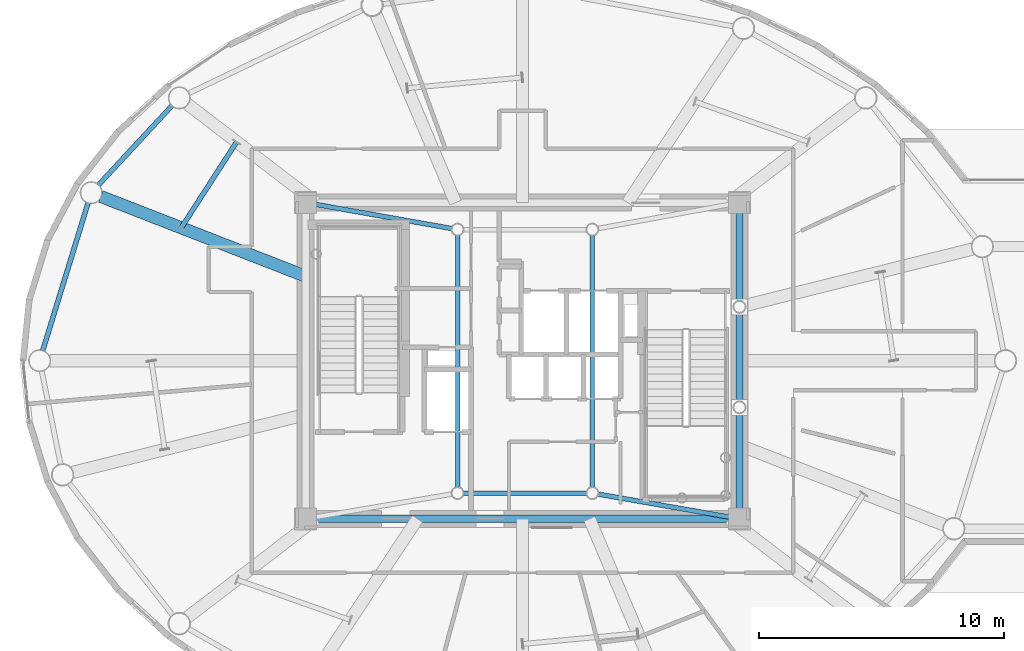
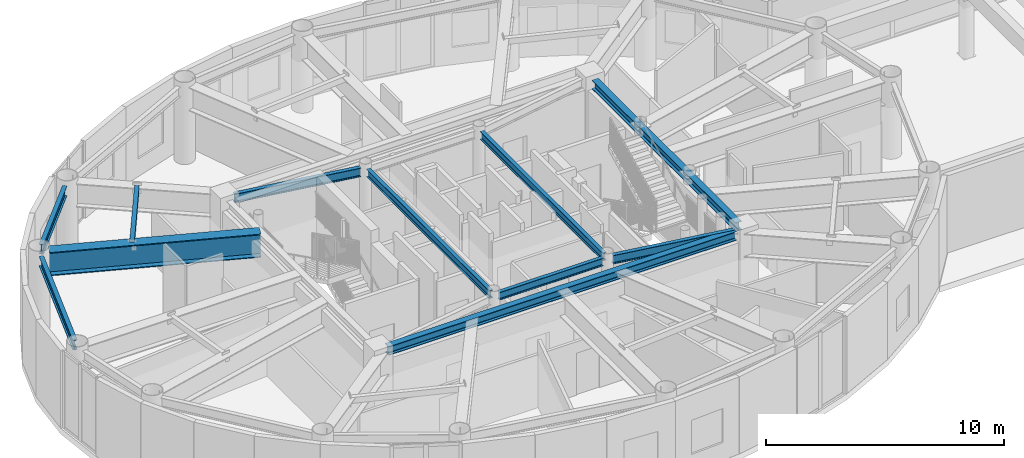
# One storey, part 7 of 26: 11 beams.
"""IFC4 building model written with IfcOpenShell, lengths in metres."""

import ifcopenshell
import ifcopenshell.guid

model = None  # the IFC model being written
_history = None  # IfcOwnerHistory: only IFC2X3 demands one
_inside = {}  # id of a spatial element -> (the spatial element, [elements in it])
_under = {}  # id of a project, library or spatial element -> (it, [spatial elements below it])
_declared = {}  # id of a project -> (the project, [libraries it declares])
_typed = {}  # id of a type object -> (the type object, [elements of that type])
_made_of = {}  # id of a material, layer set ... -> (it, [elements and type objects made of it])


def new_model(schema):
    """Start an empty IFC model of exactly this schema.

    Asked for "IFC4X3", IfcOpenShell would pick the latest addendum, in which some entities
    have other attributes; the version numbers below select the first issue.
    IFC2X3 requires an IfcOwnerHistory on every rooted entity: one is made here for all.
    """
    global model, _history
    if schema == "IFC4X3":
        model = ifcopenshell.file(schema_version=(4, 3, 0, 0))
    else:
        model = ifcopenshell.file(schema=schema)
    _inside.clear()
    _under.clear()
    _declared.clear()
    _typed.clear()
    _made_of.clear()
    _history = None
    if model.schema == "IFC2X3":
        org = make("IfcOrganization", Name="unknown")
        user = make(
            "IfcPersonAndOrganization",
            ThePerson=make("IfcPerson", FamilyName="unknown"),
            TheOrganization=org,
        )
        app = make(
            "IfcApplication",
            ApplicationDeveloper=org,
            Version="unknown",
            ApplicationFullName="unknown",
            ApplicationIdentifier="unknown",
        )
        _history = make(
            "IfcOwnerHistory",
            OwningUser=user,
            OwningApplication=app,
            ChangeAction="ADDED",
            CreationDate=0,
        )
    return model


def make(cls, **values):
    """One entity of the class cls with the attributes given. An attribute that is None is left unset."""
    return model.create_entity(
        cls, **{name: value for name, value in values.items() if value is not None}
    )


def rooted(cls, **values):
    """An entity with a GlobalId (a new one), such as an element, a storey or a relation."""
    return make(cls, GlobalId=ifcopenshell.guid.new(), OwnerHistory=_history, **values)


def si_unit(unit_type, name, prefix=None):
    """IfcSIUnit, for example si_unit("LENGTHUNIT", "METRE", prefix="MILLI")."""
    return make("IfcSIUnit", UnitType=unit_type, Prefix=prefix, Name=name)


def assignment(units):
    """IfcUnitAssignment: the units of a project."""
    return None if units is None else make("IfcUnitAssignment", Units=units)


def point(xyz):
    """IfcCartesianPoint."""
    return None if xyz is None else make("IfcCartesianPoint", Coordinates=xyz)


def direction(xyz):
    """IfcDirection."""
    return None if xyz is None else make("IfcDirection", DirectionRatios=xyz)


def frame(location, z_axis=None, x_axis=None):
    """IfcAxis2Placement3D, a coordinate frame: its origin and axes. An axis left out is left unset."""
    return make(
        "IfcAxis2Placement3D",
        Location=point(location),
        Axis=direction(z_axis),
        RefDirection=direction(x_axis),
    )


def frame_2d(location, x_axis=None):
    """IfcAxis2Placement2D, a coordinate frame in the plane: its origin and x axis."""
    return make(
        "IfcAxis2Placement2D", Location=point(location), RefDirection=direction(x_axis)
    )


def origin():
    """The frame at (0, 0, 0) with its axes left unset."""
    return frame((0.0, 0.0, 0.0))


def origin_2d():
    """The frame at (0, 0) in the plane with its x axis left unset."""
    return frame_2d((0.0, 0.0))


def place(relative_to, where):
    """IfcLocalPlacement: puts the frame where relative to a parent placement (None: the world)."""
    return make(
        "IfcLocalPlacement", PlacementRelTo=relative_to, RelativePlacement=where
    )


def context(
    kind, dimensions, precision=None, world=None, true_north=None, identifier=None
):
    """IfcGeometricRepresentationContext, for example the 3D "Model" context."""
    return make(
        "IfcGeometricRepresentationContext",
        ContextIdentifier=identifier,
        ContextType=kind,
        CoordinateSpaceDimension=dimensions,
        Precision=precision,
        WorldCoordinateSystem=world,
        TrueNorth=true_north,
    )


def subcontext(parent, identifier, kind, view, scale=None):
    """IfcGeometricRepresentationSubContext, for example "Body" below "Model"."""
    return make(
        "IfcGeometricRepresentationSubContext",
        ContextIdentifier=identifier,
        ContextType=kind,
        ParentContext=parent,
        TargetScale=scale,
        TargetView=view,
    )


def project(units=None, contexts=None):
    """IfcProject with its units and contexts."""
    return rooted(
        "IfcProject",
        Name="project",
        RepresentationContexts=contexts,
        UnitsInContext=assignment(units),
    )


def spatial(cls, under=None, at=None, **own):
    """A site, building, storey or space (cls), placed at a placement, below another one or the project."""
    s = rooted(cls, ObjectPlacement=at, **own)
    if under is not None:
        _under.setdefault(under.id(), (under, []))[1].append(s)
    return s


def profile(cls, at=None, kind="AREA", **sizes):
    """A parametric profile (cls). Its sizes go by their IFC names, for example OverallWidth=200.0."""
    return make(cls, ProfileType=kind, Position=at, **sizes)


def hollow_rectangle(**sizes):
    """IfcRectangleHollowProfileDef."""
    return profile("IfcRectangleHollowProfileDef", **sizes)


def i_section(**sizes):
    """IfcIShapeProfileDef."""
    return profile("IfcIShapeProfileDef", **sizes)


def extrude(swept, where, along, depth):
    """IfcExtrudedAreaSolid: the profile swept, set in the frame where, extruded along a direction by depth."""
    return make(
        "IfcExtrudedAreaSolid",
        SweptArea=swept,
        Position=where,
        ExtrudedDirection=direction(along),
        Depth=depth,
    )


def shape(context_of_items, identifier, shape_type, items):
    """IfcShapeRepresentation: the items that make up one representation, for example the "Body"."""
    return make(
        "IfcShapeRepresentation",
        ContextOfItems=context_of_items,
        RepresentationIdentifier=identifier,
        RepresentationType=shape_type,
        Items=items,
    )


def material(Name=None, Category=None):
    """IfcMaterial."""
    return make("IfcMaterial", Name=Name, Category=Category)


def material_profile(
    of_material, cross_section, Name=None, Category=None, Priority=None
):
    """IfcMaterialProfile: a cross section and its material."""
    return make(
        "IfcMaterialProfile",
        Name=Name,
        Material=of_material,
        Profile=cross_section,
        Priority=Priority,
        Category=Category,
    )


def profile_set(profiles, Name=None, composite=None):
    """IfcMaterialProfileSet."""
    return make(
        "IfcMaterialProfileSet",
        Name=Name,
        MaterialProfiles=profiles,
        CompositeProfile=composite,
    )


def made_of(thing, what):
    """Note that an element or type object is made of a material, layer set ...; save() writes the relation."""
    if what is not None:
        _made_of.setdefault(what.id(), (what, []))[1].append(thing)
    return thing


def type_object(cls, material=None, **own):
    """A type object (cls), such as IfcWallType, which elements share."""
    return made_of(rooted(cls, **own), material)


def element(
    cls,
    number,
    at=None,
    inside=None,
    cuts=None,
    type_object=None,
    material=None,
    context=None,
    identifier="Body",
    shape_type=None,
    held_by="IfcProductDefinitionShape",
    body=None,
    shapes=None,
    **own,
):
    """One element of the class cls, such as IfcWall. Its Tag is "e" and its number.

    at: its placement. inside: the storey or other place that contains it. cuts: it is an
    opening in that element (IfcRelVoidsElement). A single representation is given by context,
    identifier, shape_type and body (its items); several are given by shapes. held_by: the class
    of the entity that holds the representations. save() writes the other relations.
    """
    e = rooted(cls, Tag="e%d" % number, ObjectPlacement=at, **own)
    if body is not None:
        shapes = [shape(context, identifier, shape_type, body)]
    if shapes is not None:
        e.Representation = make(held_by, Representations=shapes)
    if inside is not None:
        _inside.setdefault(inside.id(), (inside, []))[1].append(e)
    if cuts is not None:
        rooted(
            "IfcRelVoidsElement", RelatingBuildingElement=cuts, RelatedOpeningElement=e
        )
    if type_object is not None:
        _typed.setdefault(type_object.id(), (type_object, []))[1].append(e)
    return made_of(e, material)


def aggregate(whole, parts):
    """IfcRelAggregates: a whole, such as a stair, and the parts it consists of."""
    return rooted("IfcRelAggregates", RelatingObject=whole, RelatedObjects=parts)


def save(model, path):
    """Write the relations noted so far, then the file.

    IfcRelAggregates (storeys below a building ...), IfcRelContainedInSpatialStructure (elements
    in a storey), IfcRelDefinesByType, IfcRelAssociatesMaterial and IfcRelDeclares: one each for
    every whole, place, type object, material and project.
    """
    for whole, parts in _under.values():
        aggregate(whole, parts)
    for where, things in _inside.values():
        rooted(
            "IfcRelContainedInSpatialStructure",
            RelatedElements=things,
            RelatingStructure=where,
        )
    for kind, things in _typed.values():
        rooted("IfcRelDefinesByType", RelatedObjects=things, RelatingType=kind)
    for what, things in _made_of.values():
        rooted("IfcRelAssociatesMaterial", RelatedObjects=things, RelatingMaterial=what)
    for by, libraries in _declared.values():
        rooted("IfcRelDeclares", RelatingContext=by, RelatedDefinitions=libraries)
    model.write(path)


model = new_model("IFC4")

# Units and contexts
model_context = context("Model", 3, precision=1e-05, world=origin(), true_north=direction((0.0, 1.0)))
body_context = subcontext(model_context, "Body", "Model", "MODEL_VIEW")
ifc_project = project(units=[si_unit("LENGTHUNIT", "METRE"), si_unit("AREAUNIT", "SQUARE_METRE"), si_unit("VOLUMEUNIT", "CUBIC_METRE"), si_unit("PLANEANGLEUNIT", "RADIAN"), si_unit("MASSUNIT", "GRAM", prefix="KILO")], contexts=[model_context])

# Site, building, storey
site_placement = place(None, origin())
site = spatial("IfcSite", under=ifc_project, at=site_placement, CompositionType="ELEMENT")
building_placement = place(site_placement, origin())
building = spatial("IfcBuilding", under=site, at=building_placement, Name="Linh Dai School and Residence Tower", CompositionType="ELEMENT")
storey_placement = place(building_placement, frame((0.0, 0.0, 351.0)))
storey = spatial("IfcBuildingStorey", under=building, at=storey_placement, Name="L87", CompositionType="ELEMENT", Elevation=351.0)

# Beams
ifc_material = material(Name="Structural Steel S355JR", Category="steel")
ifc_material_profile_1 = material_profile(ifc_material, hollow_rectangle(XDim=0.199951171875, YDim=0.300048828125, WallThickness=0.010009765625, at=origin_2d()), Name="RHS 300x200x10")
ifc_profile_set_1 = profile_set([ifc_material_profile_1], Name="Structural Steel S355JR")
beam_type_1 = type_object("IfcBeamType", Name="BM-BX3", PredefinedType="BEAM", material=ifc_profile_set_1)
beam_1_placement = place(storey_placement, frame((24.33837890625, 35.924072265625, 3.800048828125), z_axis=(-0.542324541187, -0.840169085379, 0.0), x_axis=(0.840169085379, -0.542324541187, 0.0)))
element("IfcBeam", 1, at=beam_1_placement, inside=storey, type_object=beam_type_1, Name="L87 Secondary Circumferential Floor Beam 04", PredefinedType="BEAM", context=body_context, shape_type="SweptSolid", body=[
    extrude(hollow_rectangle(XDim=0.199951171875, YDim=0.300048828125, WallThickness=0.010009765625, at=origin_2d()), origin(), (0.0, 0.0, 1.0), 4.163330078125),
])
ifc_material_profile_2 = material_profile(ifc_material, i_section(OverallWidth=0.199951171875, OverallDepth=0.5, WebThickness=0.01025390625, FlangeThickness=0.01611328125, FilletRadius=0.02099609375, at=origin_2d()), Name="IPE 500")
ifc_profile_set_2 = profile_set([ifc_material_profile_2], Name="Structural Steel S355JR")
beam_type_2 = type_object("IfcBeamType", Name="BM-RB50", PredefinedType="BEAM", material=ifc_profile_set_2)
beam_2_placement = place(storey_placement, frame((21.7119140625, 37.4150390625, 3.699951171875), z_axis=(-0.680339330162, -0.732897261446, 0.0), x_axis=(0.732897261446, -0.680339330162, 0.0)))
element("IfcBeam", 2, at=beam_2_placement, inside=storey, type_object=beam_type_2, Name="L87 Perimeter Elliptical Ring Beam 07", PredefinedType="BEAM", context=body_context, shape_type="SweptSolid", body=[
    extrude(i_section(OverallWidth=0.199951171875, OverallDepth=0.5, WebThickness=0.01025390625, FlangeThickness=0.01611328125, FilletRadius=0.02099609375, at=origin_2d()), origin(), (0.0, 0.0, 1.0), 4.440673828125),
])
beam_3_placement = place(storey_placement, frame((18.281494140625, 33.451171875, 3.699951171875), z_axis=(-0.293606003102, -0.955926521728, 0.0), x_axis=(0.955926521728, -0.293606003102, 0.0)))
element("IfcBeam", 3, at=beam_3_placement, inside=storey, type_object=beam_type_2, Name="L87 Perimeter Elliptical Ring Beam 08", PredefinedType="BEAM", context=body_context, shape_type="SweptSolid", body=[
    extrude(i_section(OverallWidth=0.199951171875, OverallDepth=0.5, WebThickness=0.01025390625, FlangeThickness=0.01611328125, FilletRadius=0.02099609375, at=origin_2d()), origin(), (0.0, 0.0, 1.0), 6.32861328125),
])
ifc_material_profile_3 = material_profile(ifc_material, i_section(OverallWidth=0.300048828125, OverallDepth=0.449951171875, WebThickness=0.013916015625, FlangeThickness=0.02587890625, FilletRadius=0.027099609375, at=origin_2d()), Name="HEB 450")
ifc_profile_set_3 = profile_set([ifc_material_profile_3], Name="Structural Steel S355JR")
beam_type_3 = type_object("IfcBeamType", Name="BM-RG45", PredefinedType="BEAM", material=ifc_profile_set_3)
beam_4_placement = place(storey_placement, frame((27.570068359375, 20.550048828125, 3.72509765625), z_axis=(1.0, 0.0, 0.0), x_axis=(0.0, 1.0, 0.0)))
element("IfcBeam", 4, at=beam_4_placement, inside=storey, type_object=beam_type_3, Name="L87 Core Perimeter Coupling Girder 1", PredefinedType="BEAM", context=body_context, shape_type="SweptSolid", body=[
    extrude(i_section(OverallWidth=0.300048828125, OverallDepth=0.449951171875, WebThickness=0.013916015625, FlangeThickness=0.02587890625, FilletRadius=0.027099609375, at=origin_2d()), origin(), (0.0, 0.0, 1.0), 16.85986328125),
])
beam_5_placement = place(storey_placement, frame((44.85009765625, 20.969970703125, 3.72509765625), z_axis=(0.0, 1.0, 0.0), x_axis=(-1.0, 0.0, 0.0)))
element("IfcBeam", 5, at=beam_5_placement, inside=storey, type_object=beam_type_3, Name="L87 Core Perimeter Coupling Girder 2", PredefinedType="BEAM", context=body_context, shape_type="SweptSolid", body=[
    extrude(i_section(OverallWidth=0.300048828125, OverallDepth=0.449951171875, WebThickness=0.013916015625, FlangeThickness=0.02587890625, FilletRadius=0.027099609375, at=origin_2d()), origin(), (0.0, 0.0, 1.0), 12.06005859375),
])
ifc_material_profile_4 = material_profile(ifc_material, i_section(OverallWidth=0.179931640625, OverallDepth=0.39990234375, WebThickness=0.008544921875, FlangeThickness=0.013427734375, FilletRadius=0.02099609375, at=origin_2d()), Name="IPE 400")
ifc_profile_set_4 = profile_set([ifc_material_profile_4], Name="Structural Steel S355JR")
beam_type_4 = type_object("IfcBeamType", Name="BM-SB40", PredefinedType="BEAM", material=ifc_profile_set_4)
beam_6_placement = place(storey_placement, frame((33.573974609375, 21.60009765625, 3.75), z_axis=(1.0, 0.0, 0.0), x_axis=(0.0, 1.0, 0.0)))
element("IfcBeam", 6, at=beam_6_placement, inside=storey, type_object=beam_type_4, Name="L87 Core Mast Pier Tie Beam 1", PredefinedType="BEAM", context=body_context, shape_type="SweptSolid", body=[
    extrude(i_section(OverallWidth=0.179931640625, OverallDepth=0.39990234375, WebThickness=0.008544921875, FlangeThickness=0.013427734375, FilletRadius=0.02099609375, at=origin_2d()), origin(), (0.0, 0.0, 1.0), 5.052001953125),
])
for number, where, z_axis, x_axis, name in (
    (7, (38.85009765625, 21.823974609375, 3.75), (0.0, 1.0, 0.0), (-1.0, 0.0, 0.0), "L87 Core Mast Pier Tie Beam 2"),
    (8, (33.35009765625, 32.1259765625, 3.75), (0.0, -1.0, 0.0), (1.0, 0.0, 0.0), "L87 Core Mast Pier Tie Beam 4"),
):
    element("IfcBeam", number, at=place(storey_placement, frame(where, z_axis=z_axis, x_axis=x_axis)), inside=storey, type_object=beam_type_4, Name=name, PredefinedType="BEAM", context=body_context, shape_type="SweptSolid", body=[
        extrude(i_section(OverallWidth=0.179931640625, OverallDepth=0.39990234375, WebThickness=0.008544921875, FlangeThickness=0.013427734375, FilletRadius=0.02099609375, at=origin_2d()), origin(), (0.0, 0.0, 1.0), 10.302001953125),
    ])
ifc_material_profile_5 = material_profile(ifc_material, i_section(OverallWidth=0.18994140625, OverallDepth=0.449951171875, WebThickness=0.009521484375, FlangeThickness=0.0146484375, FilletRadius=0.02099609375, at=origin_2d()), Name="IPE 450")
ifc_profile_set_5 = profile_set([ifc_material_profile_5], Name="Structural Steel S355JR")
beam_type_5 = type_object("IfcBeamType", Name="BM-SB45", PredefinedType="BEAM", material=ifc_profile_set_5)
beam_7_placement = place(storey_placement, frame((44.436279296875, 20.622314453125, 3.72509765625), z_axis=(-0.985031608673, 0.17237380867, 0.0), x_axis=(-0.17237380867, -0.985031608673, 0.0)))
element("IfcBeam", 9, at=beam_7_placement, inside=storey, type_object=beam_type_5, Name="L87 Core Corner-to-Mast Pier Beam 2", PredefinedType="BEAM", context=body_context, shape_type="SweptSolid", body=[
    extrude(i_section(OverallWidth=0.18994140625, OverallDepth=0.449951171875, WebThickness=0.009521484375, FlangeThickness=0.0146484375, FilletRadius=0.02099609375, at=origin_2d()), origin(), (0.0, 0.0, 1.0), 5.447265625),
])
beam_8_placement = place(storey_placement, frame((27.5634765625, 33.376708984375, 3.72509765625), z_axis=(0.984621828197, -0.174699328672, 0.0), x_axis=(0.174699328672, 0.984621828197, 0.0)))
element("IfcBeam", 10, at=beam_8_placement, inside=storey, type_object=beam_type_5, Name="L87 Core Corner-to-Mast Pier Beam 4", PredefinedType="BEAM", context=body_context, shape_type="SweptSolid", body=[
    extrude(i_section(OverallWidth=0.18994140625, OverallDepth=0.449951171875, WebThickness=0.009521484375, FlangeThickness=0.0146484375, FilletRadius=0.02099609375, at=origin_2d()), origin(), (0.0, 0.0, 1.0), 5.65283203125),
])
ifc_material_profile_6 = material_profile(ifc_material, i_section(OverallWidth=0.5, OverallDepth=1.199951171875, WebThickness=0.02392578125, FlangeThickness=0.044921875, at=origin_2d()), Name="PG 1200x500x24x45")
ifc_profile_set_6 = profile_set([ifc_material_profile_6], Name="Structural Steel S355JR")
beam_type_6 = type_object("IfcBeamType", Name="BM-TG12", PredefinedType="BEAM", material=ifc_profile_set_6)
beam_9_placement = place(storey_placement, frame((27.14990234375, 30.44677734375, 3.35009765625), z_axis=(-0.931822607816, 0.362914077384, 0.0), x_axis=(-0.362914077384, -0.931822607816, 0.0)))
element("IfcBeam", 11, at=beam_9_placement, inside=storey, type_object=beam_type_6, Name="L87 Primary Radial Floor Girder 08", PredefinedType="BEAM", context=body_context, shape_type="SweptSolid", body=[
    extrude(i_section(OverallWidth=0.5, OverallDepth=1.199951171875, WebThickness=0.02392578125, FlangeThickness=0.044921875, at=origin_2d()), origin(), (0.0, 0.0, 1.0), 8.964599609375),
])

save(model, "model.ifc")
